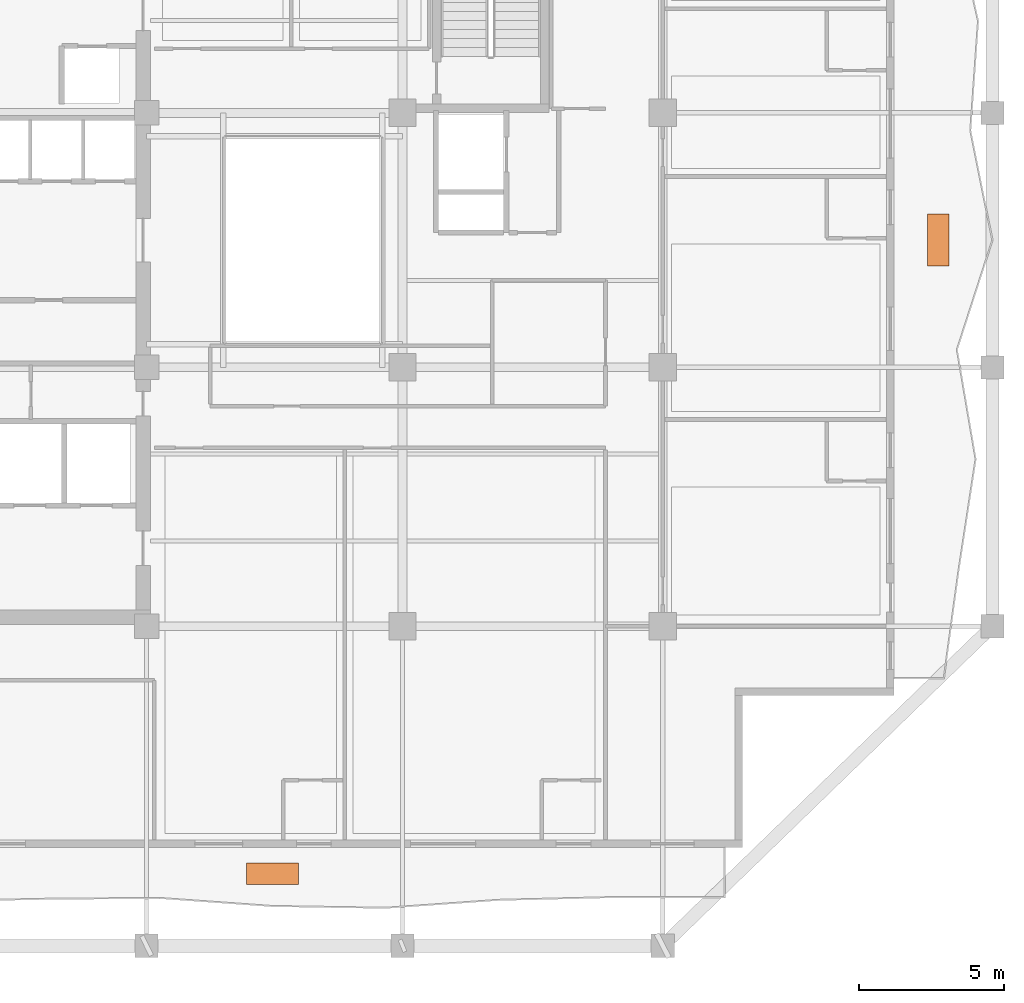
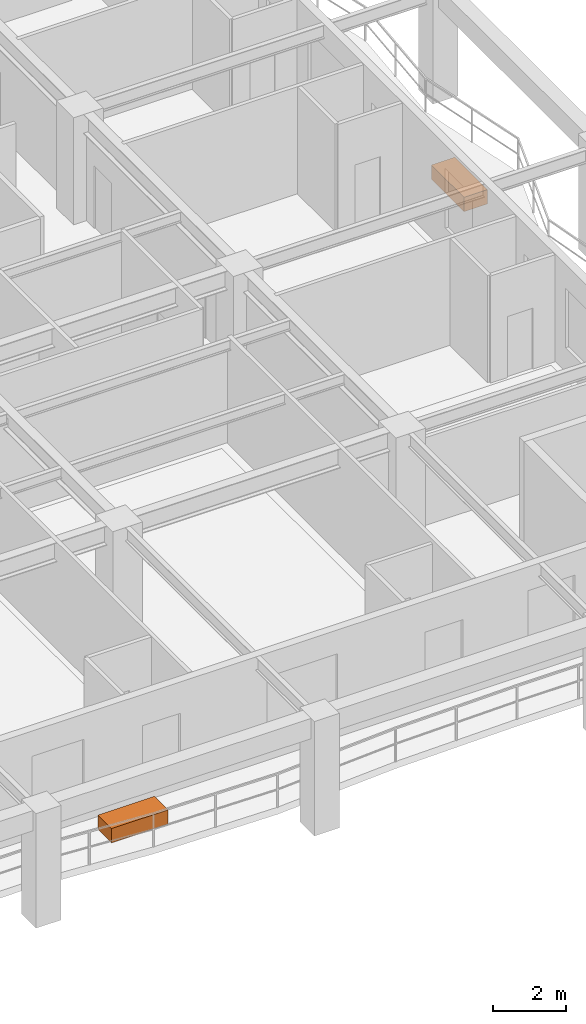
# One storey, part 13 of 13: 2 proxies.
"""IFC4 building model written with IfcOpenShell, lengths in metres."""

from ifc_helpers import new_model, si_unit, direction, frame, origin, origin_2d, place, context, subcontext, project, spatial, rectangle, extrude, material, type_object, element, save


model = new_model("IFC4")

# Units and contexts
model_context = context("Model", 3, precision=1e-05, world=origin(), true_north=direction((0.0, 1.0)))
body_context = subcontext(model_context, "Body", "Model", "MODEL_VIEW")
ifc_project = project(units=[si_unit("LENGTHUNIT", "METRE"), si_unit("AREAUNIT", "SQUARE_METRE"), si_unit("VOLUMEUNIT", "CUBIC_METRE"), si_unit("PLANEANGLEUNIT", "RADIAN"), si_unit("MASSUNIT", "GRAM", prefix="KILO")], contexts=[model_context])

# Site, building, storey
site_placement = place(None, origin())
site = spatial("IfcSite", under=ifc_project, at=site_placement, CompositionType="ELEMENT")
building_placement = place(site_placement, origin())
building = spatial("IfcBuilding", under=site, at=building_placement, Name="Kundavana Baori Tower", CompositionType="ELEMENT")
storey_placement = place(building_placement, frame((0.0, 0.0, 169.449951171875)))
storey = spatial("IfcBuildingStorey", under=building, at=storey_placement, Name="L41", CompositionType="ELEMENT", Elevation=169.449951171875)

# Proxies
ifc_material = material(Name="Red-Buff Dholpur Sandstone Cladding on Concrete C40/50", Category="masonry")
building_element_proxy_type = type_object("IfcBuildingElementProxyType", Name="PRX-PLANTER-1800", PredefinedType="USERDEFINED", material=ifc_material)
for number, where, z_axis, x_axis, name in (
    (1, (29.300048828125, 6.68701171875, 0.0), (0.0, 0.0, 1.0), (1.0, 0.0, 0.0), "L41 Dholpur Stone Structural Tree Planter S"),
    (2, (52.330078125, 28.60009765625, 0.0), (0.0, 0.0, 1.0), (0.0, 1.0, 0.0), "L41 Dholpur Stone Structural Tree Planter E"),
):
    element("IfcBuildingElementProxy", number, at=place(storey_placement, frame(where, z_axis=z_axis, x_axis=x_axis)), inside=storey, type_object=building_element_proxy_type, Name=name, ObjectType="PLANTER", PredefinedType="USERDEFINED", context=body_context, shape_type="SweptSolid", body=[
        extrude(rectangle(XDim=1.800048828125, YDim=0.75, at=origin_2d()), origin(), (0.0, 0.0, 1.0), 0.47998046875),
    ])

save(model, "model.ifc")
